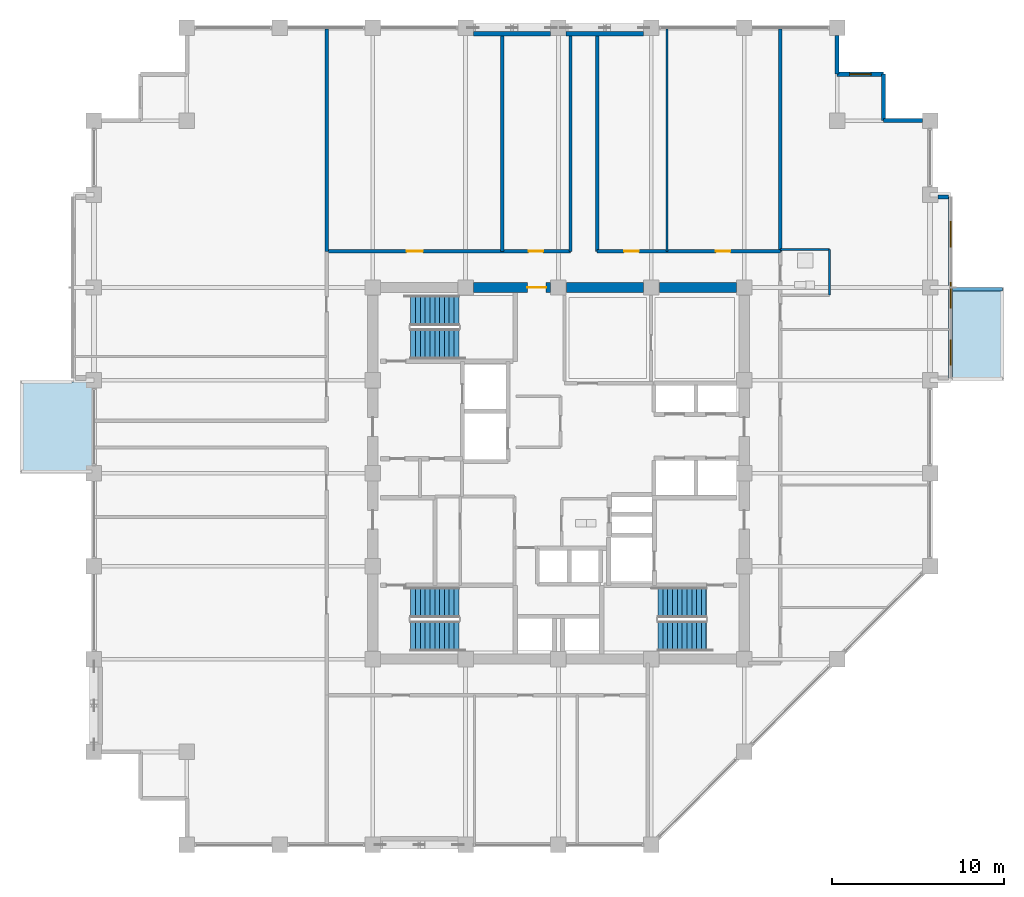
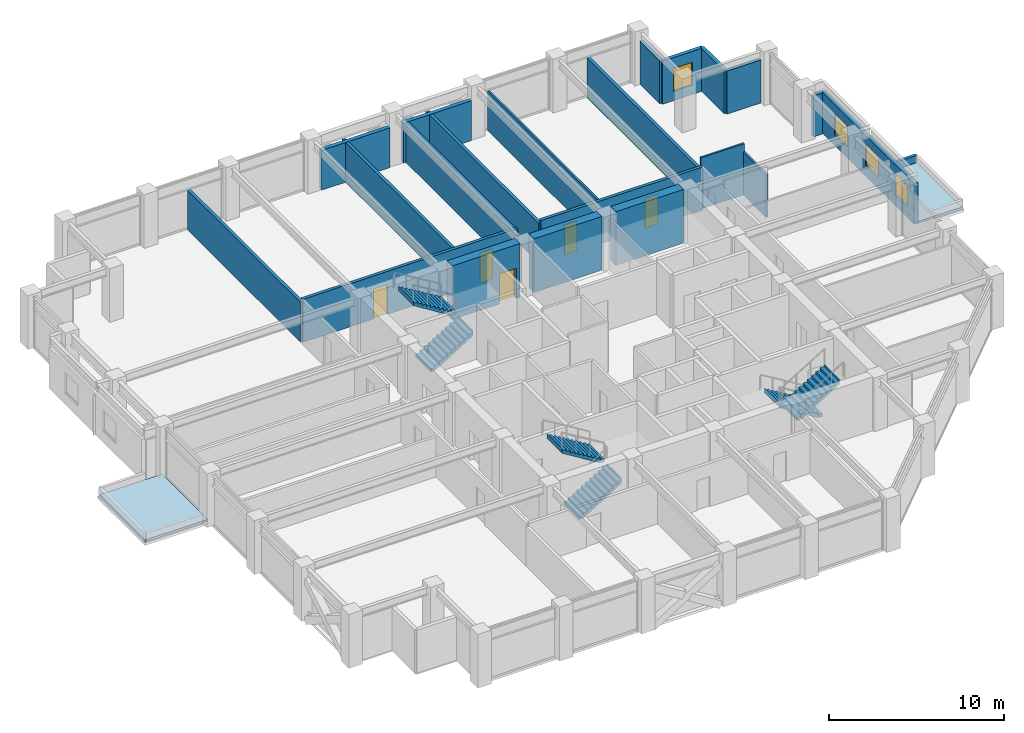
# One storey, part 25 of 28: 22 walls, 6 stair flights, 5 doors, 4 windows, 2 roofs, 9 openings, 3 elements without a shape of their own.
"""IFC4 building model written with IfcOpenShell, lengths in metres."""

from ifc_helpers import new_model, si_unit, direction, frame, frame_2d, origin, place, context, subcontext, project, spatial, polyline, rectangle, outline, extrude, material, layer, layer_set, type_object, element, fill, aggregate, save


model = new_model("IFC4")

# Units and contexts
model_context = context("Model", 3, precision=1e-05, world=origin(), true_north=direction((0.0, 1.0)))
body_context = subcontext(model_context, "Body", "Model", "MODEL_VIEW")
ifc_project = project(units=[si_unit("LENGTHUNIT", "METRE"), si_unit("AREAUNIT", "SQUARE_METRE"), si_unit("VOLUMEUNIT", "CUBIC_METRE"), si_unit("PLANEANGLEUNIT", "RADIAN"), si_unit("MASSUNIT", "GRAM", prefix="KILO")], contexts=[model_context])

# Site, building, storey
site_placement = place(None, origin())
site = spatial("IfcSite", under=ifc_project, at=site_placement, CompositionType="ELEMENT")
building_placement = place(site_placement, origin())
building = spatial("IfcBuilding", under=site, at=building_placement, Name="Surkhivell Harbour Commons", CompositionType="ELEMENT")
storey_placement = place(building_placement, frame((0.0, 0.0, 182.25)))
storey = spatial("IfcBuildingStorey", under=building, at=storey_placement, Name="L47", CompositionType="ELEMENT", Elevation=182.25)

# Wall, opening, door
ifc_material_1 = material(Name="Concrete C60/75", Category="concrete")
ifc_layer_1 = layer(ifc_material_1, 0.60009765625)
ifc_layer_set_1 = layer_set([ifc_layer_1], Name="Concrete C60/75")
wall_type_1 = type_object("IfcWallType", Name="WAL-CORE-600", PredefinedType="SHEAR", material=ifc_layer_set_1)
wall_1_placement = place(storey_placement, frame((-4.93994140625, 10.800048828125, 0.0), z_axis=(0.0, 0.0, 1.0), x_axis=(1.0, 0.0, 0.0)))
wall_1 = element("IfcWall", 1, at=wall_1_placement, inside=storey, type_object=wall_type_1, Name="L47 Core Shear Wall North 2", PredefinedType="SHEAR", context=body_context, shape_type="SweptSolid", body=[
    extrude(rectangle(XDim=4.47998046875, YDim=0.60009765625, at=frame_2d((2.239990234375, 0.0))), origin(), (0.0, 0.0, 1.0), 3.75),
])
opening_1_placement = place(wall_1_placement, frame((3.1298828125, 0.0, 0.0)))
opening_1 = element("IfcOpeningElement", 2, at=opening_1_placement, cuts=wall_1, Name="Opening ID-2", PredefinedType="OPENING", context=body_context, shape_type="SweptSolid", body=[
    extrude(rectangle(XDim=1.10009765625, YDim=2.10009765625, at=frame_2d((0.550048828125, 1.050048828125))), frame((0.0, 0.31005859375, 0.0), z_axis=(0.0, -1.0, 0.0), x_axis=(1.0, 0.0, 0.0)), (0.0, 0.0, 1.0), 0.6201171875),
])
ifc_material_2 = material(Name="Hardwood-veneered fire-rated door leaf", Category="wood")
door_type_1 = type_object("IfcDoorType", Name="DOR-FD60-1100", OperationType="NOTDEFINED", PredefinedType="DOOR", material=ifc_material_2)
door_1_placement = place(opening_1_placement, origin())
door_1 = element("IfcDoor", 3, at=door_1_placement, inside=storey, type_object=door_type_1, Name="L47 Central Core Lift Hall North Corridor Door", OperationType="SINGLE_SWING_LEFT", OverallHeight=2.10009765625, OverallWidth=1.10009765625, PredefinedType="DOOR", context=body_context, shape_type="SweptSolid", body=[
    extrude(rectangle(XDim=1.10009765625, YDim=2.10009765625, at=frame_2d((0.550048828125, 1.050048828125))), frame((0.0, 0.02490234375, 0.0), z_axis=(0.0, -1.0, 0.0), x_axis=(1.0, 0.0, 0.0)), (0.0, 0.0, 1.0), 0.050048828125),
])
fill(opening_1, door_1)

# Walls
for number, where, z_axis, x_axis, name in (
    (4, (0.4599609375, 10.800048828125, 0.0), (0.0, 0.0, 1.0), (1.0, 0.0, 0.0), "L47 Core Shear Wall North 3"),
    (5, (5.860107421875, 10.800048828125, 0.0), (0.0, 0.0, 1.0), (1.0, 0.0, 0.0), "L47 Core Shear Wall North 4"),
):
    element("IfcWall", number, at=place(storey_placement, frame(where, z_axis=z_axis, x_axis=x_axis)), inside=storey, type_object=wall_type_1, Name=name, PredefinedType="SHEAR", context=body_context, shape_type="SweptSolid", body=[
        extrude(rectangle(XDim=4.47998046875, YDim=0.60009765625, at=frame_2d((2.239990234375, 0.0))), origin(), (0.0, 0.0, 1.0), 3.75),
    ])
ifc_material_3 = material(Name="Pale-metal insulated precast concrete C45/55", Category="concrete")
ifc_layer_2 = layer(ifc_material_3, 0.260009765625)
ifc_layer_set_2 = layer_set([ifc_layer_2], Name="Pale-metal insulated precast concrete C45/55")
wall_type_2 = type_object("IfcWallType", Name="WAL-EXT-MTL260", PredefinedType="STANDARD", material=ifc_layer_set_2)
for number, where, z_axis, x_axis, name in (
    (6, (-0.447998046875, 25.5400390625, 0.0), (0.0, 0.0, 1.0), (-1.0, 0.0, 0.0), "L47 Braced-Bay Insulated Spandrel Backing N"),
    (7, (4.951904296875, 25.5400390625, 0.0), (0.0, 0.0, 1.0), (-1.0, 0.0, 0.0), "L47 Braced-Bay Insulated Spandrel Backing N2"),
):
    element("IfcWall", number, at=place(storey_placement, frame(where, z_axis=z_axis, x_axis=x_axis)), inside=storey, type_object=wall_type_2, Name=name, PredefinedType="STANDARD", context=body_context, shape_type="SweptSolid", body=[
        extrude(rectangle(XDim=4.50390625, YDim=0.260009765625, at=frame_2d((2.251953125, 0.0))), origin(), (0.0, 0.0, 1.0), 2.780029296875),
    ])

# Wall, openings, windows
ifc_material_4 = material(Name="Bronze-ochre cassette precast concrete C45/55", Category="concrete")
ifc_layer_3 = layer(ifc_material_4, 0.239990234375)
ifc_layer_set_3 = layer_set([ifc_layer_3], Name="Bronze-ochre cassette precast concrete C45/55")
wall_type_3 = type_object("IfcWallType", Name="WAL-EXT-OCH240", PredefinedType="STANDARD", material=ifc_layer_set_3)
wall_2_placement = place(storey_placement, frame((22.800048828125, 5.52001953125, 0.0), z_axis=(0.0, 0.0, 1.0), x_axis=(0.0, 1.0, 0.0)))
wall_2 = element("IfcWall", 8, at=wall_2_placement, inside=storey, type_object=wall_type_3, Name="L47 Coloured Box Front Wall 01", PredefinedType="STANDARD", context=body_context, shape_type="SweptSolid", body=[
    extrude(rectangle(XDim=10.56005859375, YDim=0.239990234375, at=frame_2d((5.280029296875, 0.0))), origin(), (0.0, 0.0, 1.0), 2.85693359375),
])
opening_2_placement = place(wall_2_placement, frame((0.7548828125, 0.0, 0.75)))
opening_2 = element("IfcOpeningElement", 9, at=opening_2_placement, cuts=wall_2, Name="Opening WN-13", PredefinedType="OPENING", context=body_context, shape_type="SweptSolid", body=[
    extrude(rectangle(XDim=1.5, YDim=1.5, at=frame_2d((0.75, 0.75))), frame((0.0, 0.1298828125, 0.0), z_axis=(0.0, -1.0, 0.0), x_axis=(1.0, 0.0, 0.0)), (0.0, 0.0, 1.0), 0.260009765625),
])
opening_3_placement = place(wall_2_placement, frame((4.077392578125, 0.0, 0.75)))
opening_3 = element("IfcOpeningElement", 10, at=opening_3_placement, cuts=wall_2, Name="Opening WN-13", PredefinedType="OPENING", context=body_context, shape_type="SweptSolid", body=[
    extrude(rectangle(XDim=1.5, YDim=1.5, at=frame_2d((0.75, 0.75))), frame((0.0, 0.1298828125, 0.0), z_axis=(0.0, -1.0, 0.0), x_axis=(1.0, 0.0, 0.0)), (0.0, 0.0, 1.0), 0.260009765625),
])
opening_4_placement = place(wall_2_placement, frame((7.632568359375, 0.0, 0.75)))
opening_4 = element("IfcOpeningElement", 11, at=opening_4_placement, cuts=wall_2, Name="Opening WN-13", PredefinedType="OPENING", context=body_context, shape_type="SweptSolid", body=[
    extrude(rectangle(XDim=1.5, YDim=1.5, at=frame_2d((0.75, 0.75))), frame((0.0, 0.1298828125, 0.0), z_axis=(0.0, -1.0, 0.0), x_axis=(1.0, 0.0, 0.0)), (0.0, 0.0, 1.0), 0.260009765625),
])
ifc_material_5 = material(Name="Thermal-break aluminium frame and double low-E glazing", Category="aluminium")
window_type_1 = type_object("IfcWindowType", Name="WIN-BOX-1500x1500", PartitioningType="SINGLE_PANEL", PredefinedType="WINDOW", material=ifc_material_5)
window_1_placement = place(opening_2_placement, origin())
window_1 = element("IfcWindow", 12, at=window_1_placement, inside=storey, type_object=window_type_1, Name="L47 Coloured Box Square Window 01-1", OverallHeight=1.5, OverallWidth=1.5, PartitioningType="SINGLE_PANEL", PredefinedType="WINDOW", context=body_context, shape_type="SweptSolid", body=[
    extrude(rectangle(XDim=1.5, YDim=1.5, at=frame_2d((0.75, 0.75))), frame((0.0, 0.030029296875, 0.0), z_axis=(0.0, -1.0, 0.0), x_axis=(1.0, 0.0, 0.0)), (0.0, 0.0, 1.0), 0.06005859375),
])
fill(opening_2, window_1)
window_2_placement = place(opening_3_placement, origin())
window_2 = element("IfcWindow", 13, at=window_2_placement, inside=storey, type_object=window_type_1, Name="L47 Coloured Box Square Window 01-2", OverallHeight=1.5, OverallWidth=1.5, PartitioningType="SINGLE_PANEL", PredefinedType="WINDOW", context=body_context, shape_type="SweptSolid", body=[
    extrude(rectangle(XDim=1.5, YDim=1.5, at=frame_2d((0.75, 0.75))), frame((0.0, 0.030029296875, 0.0), z_axis=(0.0, -1.0, 0.0), x_axis=(1.0, 0.0, 0.0)), (0.0, 0.0, 1.0), 0.06005859375),
])
fill(opening_3, window_2)
window_3_placement = place(opening_4_placement, origin())
window_3 = element("IfcWindow", 14, at=window_3_placement, inside=storey, type_object=window_type_1, Name="L47 Coloured Box Square Window 01-3", OverallHeight=1.5, OverallWidth=1.5, PartitioningType="SINGLE_PANEL", PredefinedType="WINDOW", context=body_context, shape_type="SweptSolid", body=[
    extrude(rectangle(XDim=1.5, YDim=1.5, at=frame_2d((0.75, 0.75))), frame((0.0, 0.030029296875, 0.0), z_axis=(0.0, -1.0, 0.0), x_axis=(1.0, 0.0, 0.0)), (0.0, 0.0, 1.0), 0.06005859375),
])
fill(opening_4, window_3)

# Walls
wall_3_placement = place(storey_placement, frame((22.053955078125, 16.06005859375, 0.0), z_axis=(0.0, 0.0, 1.0), x_axis=(1.0, 0.0, 0.0)))
element("IfcWall", 15, at=wall_3_placement, inside=storey, type_object=wall_type_3, Name="L47 Coloured Box Return Wall 01N", PredefinedType="STANDARD", context=body_context, shape_type="SweptSolid", body=[
    extrude(rectangle(XDim=0.60595703125, YDim=0.239990234375, at=frame_2d((0.302978515625, 0.0))), origin(), (0.0, 0.0, 1.0), 2.85693359375),
])
wall_4_placement = place(storey_placement, frame((21.152099609375, 20.5, 0.0), z_axis=(0.0, 0.0, 1.0), x_axis=(-1.0, 0.0, 0.0)))
element("IfcWall", 16, at=wall_4_placement, inside=storey, type_object=wall_type_3, Name="L47 Serrated Corner Facade Wall 03", PredefinedType="STANDARD", context=body_context, shape_type="SweptSolid", body=[
    extrude(rectangle(XDim=2.252197265625, YDim=0.239990234375, at=frame_2d((1.1259765625, 0.0))), origin(), (0.0, 0.0, 1.0), 3.006103515625),
])
wall_5_placement = place(storey_placement, frame((18.89990234375, 20.5, 0.0), z_axis=(0.0, 0.0, 1.0), x_axis=(0.0, 1.0, 0.0)))
element("IfcWall", 17, at=wall_5_placement, inside=storey, type_object=wall_type_3, Name="L47 Serrated Corner Facade Wall 04", PredefinedType="STANDARD", context=body_context, shape_type="SweptSolid", body=[
    extrude(rectangle(XDim=2.699951171875, YDim=0.239990234375, at=frame_2d((1.35009765625, 0.0))), origin(), (0.0, 0.0, 1.0), 3.006103515625),
])

# Wall, opening, window
wall_6_placement = place(storey_placement, frame((18.89990234375, 23.199951171875, 0.0), z_axis=(0.0, 0.0, 1.0), x_axis=(-1.0, 0.0, 0.0)))
wall_6 = element("IfcWall", 18, at=wall_6_placement, inside=storey, type_object=wall_type_3, Name="L47 Serrated Corner Facade Wall 05", PredefinedType="STANDARD", context=body_context, shape_type="SweptSolid", body=[
    extrude(rectangle(XDim=2.699951171875, YDim=0.239990234375, at=frame_2d((1.35009765625, 0.0))), origin(), (0.0, 0.0, 1.0), 3.006103515625),
])
opening_5_placement = place(wall_6_placement, frame((0.72509765625, 0.0, 0.64990234375)))
opening_5 = element("IfcOpeningElement", 19, at=opening_5_placement, cuts=wall_6, Name="Opening WN-09", PredefinedType="OPENING", context=body_context, shape_type="SweptSolid", body=[
    extrude(rectangle(XDim=1.25, YDim=1.60009765625, at=frame_2d((0.625, 0.800048828125))), frame((0.0, 0.1298828125, 0.0), z_axis=(0.0, -1.0, 0.0), x_axis=(1.0, 0.0, 0.0)), (0.0, 0.0, 1.0), 0.260009765625),
])
window_type_2 = type_object("IfcWindowType", Name="WIN-SER-1250x1600", PartitioningType="SINGLE_PANEL", PredefinedType="WINDOW", material=ifc_material_5)
window_4_placement = place(opening_5_placement, origin())
window_4 = element("IfcWindow", 20, at=window_4_placement, inside=storey, type_object=window_type_2, Name="L47 Serrated Alcove Window 05", OverallHeight=1.60009765625, OverallWidth=1.25, PartitioningType="SINGLE_PANEL", PredefinedType="WINDOW", context=body_context, shape_type="SweptSolid", body=[
    extrude(rectangle(XDim=1.25, YDim=1.60009765625, at=frame_2d((0.625, 0.800048828125))), frame((0.0, 0.030029296875, 0.0), z_axis=(0.0, -1.0, 0.0), x_axis=(1.0, 0.0, 0.0)), (0.0, 0.0, 1.0), 0.06005859375),
])
fill(opening_5, window_4)

# Walls
wall_7_placement = place(storey_placement, frame((16.199951171875, 23.199951171875, 0.0), z_axis=(0.0, 0.0, 1.0), x_axis=(0.0, 1.0, 0.0)))
element("IfcWall", 21, at=wall_7_placement, inside=storey, type_object=wall_type_3, Name="L47 Serrated Corner Facade Wall 06", PredefinedType="STANDARD", context=body_context, shape_type="SweptSolid", body=[
    extrude(rectangle(XDim=2.251953125, YDim=0.239990234375, at=frame_2d((1.1259765625, 0.0))), origin(), (0.0, 0.0, 1.0), 3.006103515625),
])
ifc_material_6 = material(Name="Moisture-resistant acoustic stud partition", Category="other")
ifc_layer_4 = layer(ifc_material_6, 0.125)
ifc_layer_set_4 = layer_set([ifc_layer_4], Name="Moisture-resistant acoustic stud partition")
wall_type_4 = type_object("IfcWallType", Name="WAL-INT-125", PredefinedType="PARTITIONING", material=ifc_layer_set_4)
wall_8_placement = place(storey_placement, frame((15.75, 10.35009765625, 0.0), z_axis=(0.0, 0.0, 1.0), x_axis=(0.0, 1.0, 0.0)))
element("IfcWall", 22, at=wall_8_placement, inside=storey, type_object=wall_type_4, Name="L47 East Partition BTHB", PredefinedType="PARTITIONING", context=body_context, shape_type="SweptSolid", body=[
    extrude(rectangle(XDim=2.64990234375, YDim=0.125, at=frame_2d((1.324951171875, 0.0))), origin(), (0.0, 0.0, 1.0), 3.006103515625),
])
wall_9_placement = place(storey_placement, frame((12.89990234375, 13.0, 0.0), z_axis=(0.0, 0.0, 1.0), x_axis=(1.0, 0.0, 0.0)))
element("IfcWall", 23, at=wall_9_placement, inside=storey, type_object=wall_type_4, Name="L47 East Partition BTHN", PredefinedType="PARTITIONING", context=body_context, shape_type="SweptSolid", body=[
    extrude(rectangle(XDim=2.85009765625, YDim=0.125, at=frame_2d((1.425048828125, 0.0))), origin(), (0.0, 0.0, 1.0), 3.570068359375),
])
wall_10_placement = place(storey_placement, frame((6.300048828125, 12.89990234375, 0.0), z_axis=(0.0, 0.0, 1.0), x_axis=(0.0, 1.0, 0.0)))
element("IfcWall", 24, at=wall_10_placement, inside=storey, type_object=wall_type_4, Name="L47 North-East Partition P1", PredefinedType="PARTITIONING", context=body_context, shape_type="SweptSolid", body=[
    extrude(rectangle(XDim=12.940185546875, YDim=0.125, at=frame_2d((6.47021484375, 0.0))), origin(), (0.0, 0.0, 1.0), 2.780029296875),
])
ifc_material_7 = material(Name="Autoclaved aerated concrete blockwork and fire plaster", Category="masonry")
ifc_layer_5 = layer(ifc_material_7, 0.199951171875)
ifc_layer_set_5 = layer_set([ifc_layer_5], Name="Autoclaved aerated concrete blockwork and fire plaster")
wall_type_5 = type_object("IfcWallType", Name="WAL-INT-200", PredefinedType="PARTITIONING", material=ifc_layer_set_5)
for number, where, z_axis, x_axis, name in (
    (25, (12.89990234375, 12.89990234375, 0.0), (0.0, 0.0, 1.0), (0.0, 1.0, 0.0), "L47 North-East Corner Wall"),
    (26, (-13.47998046875, 12.89990234375, 0.0), (0.0, 0.0, 1.0), (0.0, 1.0, 0.0), "L47 North-West Corner Wall"),
):
    element("IfcWall", number, at=place(storey_placement, frame(where, z_axis=z_axis, x_axis=x_axis)), inside=storey, type_object=wall_type_5, Name=name, PredefinedType="PARTITIONING", context=body_context, shape_type="SweptSolid", body=[
        extrude(rectangle(XDim=12.940185546875, YDim=0.199951171875, at=frame_2d((6.47021484375, 0.0))), origin(), (0.0, 0.0, 1.0), 2.780029296875),
    ])

# Wall, openings, doors
wall_11_placement = place(storey_placement, frame((-13.47998046875, 12.89990234375, 0.0), z_axis=(0.0, 0.0, 1.0), x_axis=(1.0, 0.0, 0.0)))
wall_11 = element("IfcWall", 27, at=wall_11_placement, inside=storey, type_object=wall_type_5, Name="L47 Corridor North-West Wall", PredefinedType="PARTITIONING", context=body_context, shape_type="SweptSolid", body=[
    extrude(rectangle(XDim=14.179931640625, YDim=0.199951171875, at=frame_2d((7.08984375, 0.0))), origin(), (0.0, 0.0, 1.0), 3.006103515625),
])
opening_6_placement = place(wall_11_placement, frame((4.655029296875, 0.0, 0.0)))
opening_6 = element("IfcOpeningElement", 28, at=opening_6_placement, cuts=wall_11, Name="Opening ID-4", PredefinedType="OPENING", context=body_context, shape_type="SweptSolid", body=[
    extrude(rectangle(XDim=0.949951171875, YDim=2.10009765625, at=frame_2d((0.47509765625, 1.050048828125))), frame((0.0, 0.10986328125, 0.0), z_axis=(0.0, -1.0, 0.0), x_axis=(1.0, 0.0, 0.0)), (0.0, 0.0, 1.0), 0.219970703125),
])
opening_7_placement = place(wall_11_placement, frame((11.7451171875, 0.0, 0.0)))
opening_7 = element("IfcOpeningElement", 29, at=opening_7_placement, cuts=wall_11, Name="Opening ID-6", PredefinedType="OPENING", context=body_context, shape_type="SweptSolid", body=[
    extrude(rectangle(XDim=0.85009765625, YDim=2.10009765625, at=frame_2d((0.425048828125, 1.050048828125))), frame((0.0, 0.10986328125, 0.0), z_axis=(0.0, -1.0, 0.0), x_axis=(1.0, 0.0, 0.0)), (0.0, 0.0, 1.0), 0.219970703125),
])
door_type_2 = type_object("IfcDoorType", Name="DOR-FD30-850", OperationType="NOTDEFINED", PredefinedType="DOOR", material=ifc_material_2)
door_2_placement = place(opening_7_placement, origin())
door_2 = element("IfcDoor", 30, at=door_2_placement, inside=storey, type_object=door_type_2, Name="L47 Resident Advisory Reception Desk North-West Door", OperationType="SINGLE_SWING_RIGHT", OverallHeight=2.10009765625, OverallWidth=0.85009765625, PredefinedType="DOOR", context=body_context, shape_type="SweptSolid", body=[
    extrude(rectangle(XDim=0.85009765625, YDim=2.10009765625, at=frame_2d((0.425048828125, 1.050048828125))), frame((0.0, 0.02490234375, 0.0), z_axis=(0.0, -1.0, 0.0), x_axis=(1.0, 0.0, 0.0)), (0.0, 0.0, 1.0), 0.050048828125),
])
fill(opening_7, door_2)
door_type_3 = type_object("IfcDoorType", Name="DOR-FD60-950", OperationType="NOTDEFINED", PredefinedType="DOOR", material=ifc_material_2)
door_3_placement = place(opening_6_placement, origin())
door_3 = element("IfcDoor", 31, at=door_3_placement, inside=storey, type_object=door_type_3, Name="L47 Zone Concierge Reception Foyer North-West Door", OperationType="SINGLE_SWING_LEFT", OverallHeight=2.10009765625, OverallWidth=0.949951171875, PredefinedType="DOOR", context=body_context, shape_type="SweptSolid", body=[
    extrude(rectangle(XDim=0.949951171875, YDim=2.10009765625, at=frame_2d((0.47509765625, 1.050048828125))), frame((0.0, 0.02490234375, 0.0), z_axis=(0.0, -1.0, 0.0), x_axis=(1.0, 0.0, 0.0)), (0.0, 0.0, 1.0), 0.050048828125),
])
fill(opening_6, door_3)

wall_12_placement = place(storey_placement, frame((2.25, 12.89990234375, 0.0), z_axis=(0.0, 0.0, 1.0), x_axis=(1.0, 0.0, 0.0)))
wall_12 = element("IfcWall", 32, at=wall_12_placement, inside=storey, type_object=wall_type_5, Name="L47 Corridor North-East Wall", PredefinedType="PARTITIONING", context=body_context, shape_type="SweptSolid", body=[
    extrude(rectangle(XDim=10.64990234375, YDim=0.199951171875, at=frame_2d((5.324951171875, 0.0))), origin(), (0.0, 0.0, 1.0), 3.006103515625),
])
opening_8_placement = place(wall_12_placement, frame((1.574951171875, 0.0, 0.0)))
opening_8 = element("IfcOpeningElement", 33, at=opening_8_placement, cuts=wall_12, Name="Opening ID-6", PredefinedType="OPENING", context=body_context, shape_type="SweptSolid", body=[
    extrude(rectangle(XDim=0.85009765625, YDim=2.10009765625, at=frame_2d((0.425048828125, 1.050048828125))), frame((0.0, 0.10986328125, 0.0), z_axis=(0.0, -1.0, 0.0), x_axis=(1.0, 0.0, 0.0)), (0.0, 0.0, 1.0), 0.219970703125),
])
opening_9_placement = place(wall_12_placement, frame((6.89990234375, 0.0, 0.0)))
opening_9 = element("IfcOpeningElement", 34, at=opening_9_placement, cuts=wall_12, Name="Opening ID-6", PredefinedType="OPENING", context=body_context, shape_type="SweptSolid", body=[
    extrude(rectangle(XDim=0.85009765625, YDim=2.10009765625, at=frame_2d((0.425048828125, 1.050048828125))), frame((0.0, 0.10986328125, 0.0), z_axis=(0.0, -1.0, 0.0), x_axis=(1.0, 0.0, 0.0)), (0.0, 0.0, 1.0), 0.219970703125),
])
door_4_placement = place(opening_8_placement, origin())
door_4 = element("IfcDoor", 35, at=door_4_placement, inside=storey, type_object=door_type_2, Name="L47 Harbour Reading Library North-East Door", OperationType="SINGLE_SWING_LEFT", OverallHeight=2.10009765625, OverallWidth=0.85009765625, PredefinedType="DOOR", context=body_context, shape_type="SweptSolid", body=[
    extrude(rectangle(XDim=0.85009765625, YDim=2.10009765625, at=frame_2d((0.425048828125, 1.050048828125))), frame((0.0, 0.02490234375, 0.0), z_axis=(0.0, -1.0, 0.0), x_axis=(1.0, 0.0, 0.0)), (0.0, 0.0, 1.0), 0.050048828125),
])
fill(opening_8, door_4)
door_5_placement = place(opening_9_placement, origin())
door_5 = element("IfcDoor", 36, at=door_5_placement, inside=storey, type_object=door_type_2, Name="L47 Communal Dining Hall North-East Door", OperationType="SINGLE_SWING_RIGHT", OverallHeight=2.10009765625, OverallWidth=0.85009765625, PredefinedType="DOOR", context=body_context, shape_type="SweptSolid", body=[
    extrude(rectangle(XDim=0.85009765625, YDim=2.10009765625, at=frame_2d((0.425048828125, 1.050048828125))), frame((0.0, 0.02490234375, 0.0), z_axis=(0.0, -1.0, 0.0), x_axis=(1.0, 0.0, 0.0)), (0.0, 0.0, 1.0), 0.050048828125),
])
fill(opening_9, door_5)

# Walls
for number, where, z_axis, x_axis, name in (
    (37, (2.25, 12.89990234375, 0.0), (0.0, 0.0, 1.0), (0.0, 1.0, 0.0), "L47 North Spur East Wall"),
    (38, (0.699951171875, 12.89990234375, 0.0), (0.0, 0.0, 1.0), (0.0, 1.0, 0.0), "L47 North Spur West Wall"),
    (39, (-3.27001953125, 12.89990234375, 0.0), (0.0, 0.0, 1.0), (0.0, 1.0, 0.0), "L47 North-West Partition P1"),
):
    element("IfcWall", number, at=place(storey_placement, frame(where, z_axis=z_axis, x_axis=x_axis)), inside=storey, type_object=wall_type_5, Name=name, PredefinedType="PARTITIONING", context=body_context, shape_type="SweptSolid", body=[
        extrude(rectangle(XDim=12.940185546875, YDim=0.199951171875, at=frame_2d((6.47021484375, 0.0))), origin(), (0.0, 0.0, 1.0), 2.780029296875),
    ])
ifc_material_8 = material(Name="Anodised aluminium and precast concrete C40/50", Category="concrete")
ifc_layer_6 = layer(ifc_material_8, 0.18505859375)
ifc_layer_set_6 = layer_set([ifc_layer_6], Name="Anodised aluminium and precast concrete C40/50")
wall_type_6 = type_object("IfcWallType", Name="WAL-PAR-185", PredefinedType="PARAPET", material=ifc_layer_set_6)
wall_13_placement = place(storey_placement, frame((25.800048828125, 10.699951171875, 0.0), z_axis=(0.0, 0.0, 1.0), x_axis=(-1.0, 0.0, 0.0)))
element("IfcWall", 40, at=wall_13_placement, inside=storey, type_object=wall_type_6, Name="L47 Box Roof Coping Parapet 1-3", PredefinedType="PARAPET", context=body_context, shape_type="SweptSolid", body=[
    extrude(rectangle(XDim=2.880126953125, YDim=0.18505859375, at=frame_2d((1.43994140625, 0.0))), origin(), (0.0, 0.0, 1.0), 0.64990234375),
])

# Stair, stair flights
ifc_material_9 = material(Name="Precast concrete C45/55", Category="concrete")
stair_type = type_object("IfcStairType", Name="STR-DL-375", PredefinedType="HALF_TURN_STAIR", material=ifc_material_9)
stair_1_placement = place(storey_placement, origin())
stair_1 = element("IfcStair", 41, at=stair_1_placement, inside=storey, type_object=stair_type, Name="L47 Core Exit Stair ST1", PredefinedType="HALF_TURN_STAIR")
stair_flight_type = type_object("IfcStairFlightType", Name="STF-DL-375", PredefinedType="STRAIGHT", material=ifc_material_9)
stair_flight_1_placement = place(storey_placement, frame((-8.590087890625, 7.514892578125, 0.0), z_axis=(0.0, 0.0, 1.0), x_axis=(1.0, 0.0, 0.0)))
stair_flight_1 = element("IfcStairFlight", 42, at=stair_flight_1_placement, type_object=stair_flight_type, Name="ST1 flight 1", NumberOfRisers=11, NumberOfTreads=10, PredefinedType="STRAIGHT", RiserHeight=0.170454545, TreadLength=0.28, context=body_context, shape_type="SweptSolid", body=[
    extrude(outline(polyline([(-0.0029296875, -0.034912109375), (-0.0029296875, 0.0), (0.0, 0.0), (0.0, 0.17041015625), (0.280029296875, 0.17041015625), (0.280029296875, 0.3408203125), (0.56005859375, 0.3408203125), (0.56005859375, 0.511474609375), (0.840087890625, 0.511474609375), (0.840087890625, 0.681884765625), (1.1201171875, 0.681884765625), (1.1201171875, 0.852294921875), (1.39990234375, 0.852294921875), (1.39990234375, 1.022705078125), (1.679931640625, 1.022705078125), (1.679931640625, 1.193115234375), (1.9599609375, 1.193115234375), (1.9599609375, 1.363525390625), (2.239990234375, 1.363525390625), (2.239990234375, 1.5341796875), (2.52001953125, 1.5341796875), (2.52001953125, 1.70458984375), (2.800048828125, 1.70458984375), (2.800048828125, 1.875), (2.802978515625, 1.875), (2.802978515625, 1.529052734375), (0.288330078125, -0.034912109375), (-0.0029296875, -0.034912109375)])), frame((0.0, 0.875, 0.0), z_axis=(0.0, -1.0, 0.0), x_axis=(1.0, 0.0, 0.0)), (0.0, 0.0, 1.0), 1.75),
])
stair_flight_2_placement = place(storey_placement, frame((-5.7900390625, 9.465087890625, 1.875), z_axis=(0.0, 0.0, 1.0), x_axis=(-1.0, 0.0, 0.0)))
stair_flight_2 = element("IfcStairFlight", 43, at=stair_flight_2_placement, type_object=stair_flight_type, Name="ST1 flight 2", NumberOfRisers=11, NumberOfTreads=10, PredefinedType="STRAIGHT", RiserHeight=0.170454545, TreadLength=0.28, context=body_context, shape_type="SweptSolid", body=[
    extrude(outline(polyline([(-0.0029296875, -0.034912109375), (-0.0029296875, 0.0), (0.0, 0.0), (0.0, 0.17041015625), (0.280029296875, 0.17041015625), (0.280029296875, 0.3408203125), (0.56005859375, 0.3408203125), (0.56005859375, 0.511474609375), (0.840087890625, 0.511474609375), (0.840087890625, 0.681884765625), (1.1201171875, 0.681884765625), (1.1201171875, 0.852294921875), (1.39990234375, 0.852294921875), (1.39990234375, 1.022705078125), (1.679931640625, 1.022705078125), (1.679931640625, 1.193115234375), (1.9599609375, 1.193115234375), (1.9599609375, 1.363525390625), (2.239990234375, 1.363525390625), (2.239990234375, 1.5341796875), (2.52001953125, 1.5341796875), (2.52001953125, 1.70458984375), (2.800048828125, 1.70458984375), (2.800048828125, 1.875), (2.802978515625, 1.875), (2.802978515625, 1.529052734375), (0.288330078125, -0.034912109375), (-0.0029296875, -0.034912109375)])), frame((0.0, 0.875, 0.0), z_axis=(0.0, -1.0, 0.0), x_axis=(1.0, 0.0, 0.0)), (0.0, 0.0, 1.0), 1.75),
])
aggregate(stair_1, [stair_flight_1, stair_flight_2])

stair_2_placement = place(storey_placement, origin())
stair_2 = element("IfcStair", 44, at=stair_2_placement, inside=storey, type_object=stair_type, Name="L47 Core Exit Stair ST2", PredefinedType="HALF_TURN_STAIR")
stair_flight_3_placement = place(storey_placement, frame((8.590087890625, -7.514892578125, 0.0), z_axis=(0.0, 0.0, 1.0), x_axis=(-1.0, 0.0, 0.0)))
stair_flight_3 = element("IfcStairFlight", 45, at=stair_flight_3_placement, type_object=stair_flight_type, Name="ST2 flight 1", NumberOfRisers=11, NumberOfTreads=10, PredefinedType="STRAIGHT", RiserHeight=0.170454545, TreadLength=0.28, context=body_context, shape_type="SweptSolid", body=[
    extrude(outline(polyline([(-0.0029296875, -0.034912109375), (-0.0029296875, 0.0), (0.0, 0.0), (0.0, 0.17041015625), (0.280029296875, 0.17041015625), (0.280029296875, 0.3408203125), (0.56005859375, 0.3408203125), (0.56005859375, 0.511474609375), (0.840087890625, 0.511474609375), (0.840087890625, 0.681884765625), (1.1201171875, 0.681884765625), (1.1201171875, 0.852294921875), (1.39990234375, 0.852294921875), (1.39990234375, 1.022705078125), (1.679931640625, 1.022705078125), (1.679931640625, 1.193115234375), (1.9599609375, 1.193115234375), (1.9599609375, 1.363525390625), (2.239990234375, 1.363525390625), (2.239990234375, 1.5341796875), (2.52001953125, 1.5341796875), (2.52001953125, 1.70458984375), (2.800048828125, 1.70458984375), (2.800048828125, 1.875), (2.802978515625, 1.875), (2.802978515625, 1.529052734375), (0.288330078125, -0.034912109375), (-0.0029296875, -0.034912109375)])), frame((0.0, 0.875, 0.0), z_axis=(0.0, -1.0, 0.0), x_axis=(1.0, 0.0, 0.0)), (0.0, 0.0, 1.0), 1.75),
])
stair_flight_4_placement = place(storey_placement, frame((5.7900390625, -9.465087890625, 1.875), z_axis=(0.0, 0.0, 1.0), x_axis=(1.0, 0.0, 0.0)))
stair_flight_4 = element("IfcStairFlight", 46, at=stair_flight_4_placement, type_object=stair_flight_type, Name="ST2 flight 2", NumberOfRisers=11, NumberOfTreads=10, PredefinedType="STRAIGHT", RiserHeight=0.170454545, TreadLength=0.28, context=body_context, shape_type="SweptSolid", body=[
    extrude(outline(polyline([(-0.0029296875, -0.034912109375), (-0.0029296875, 0.0), (0.0, 0.0), (0.0, 0.17041015625), (0.280029296875, 0.17041015625), (0.280029296875, 0.3408203125), (0.56005859375, 0.3408203125), (0.56005859375, 0.511474609375), (0.840087890625, 0.511474609375), (0.840087890625, 0.681884765625), (1.1201171875, 0.681884765625), (1.1201171875, 0.852294921875), (1.39990234375, 0.852294921875), (1.39990234375, 1.022705078125), (1.679931640625, 1.022705078125), (1.679931640625, 1.193115234375), (1.9599609375, 1.193115234375), (1.9599609375, 1.363525390625), (2.239990234375, 1.363525390625), (2.239990234375, 1.5341796875), (2.52001953125, 1.5341796875), (2.52001953125, 1.70458984375), (2.800048828125, 1.70458984375), (2.800048828125, 1.875), (2.802978515625, 1.875), (2.802978515625, 1.529052734375), (0.288330078125, -0.034912109375), (-0.0029296875, -0.034912109375)])), frame((0.0, 0.875, 0.0), z_axis=(0.0, -1.0, 0.0), x_axis=(1.0, 0.0, 0.0)), (0.0, 0.0, 1.0), 1.75),
])
aggregate(stair_2, [stair_flight_3, stair_flight_4])

stair_3_placement = place(storey_placement, origin())
stair_3 = element("IfcStair", 47, at=stair_3_placement, inside=storey, type_object=stair_type, Name="L47 Core Exit Stair ST3", PredefinedType="HALF_TURN_STAIR")
stair_flight_5_placement = place(storey_placement, frame((-8.590087890625, -9.465087890625, 0.0), z_axis=(0.0, 0.0, 1.0), x_axis=(1.0, 0.0, 0.0)))
stair_flight_5 = element("IfcStairFlight", 48, at=stair_flight_5_placement, type_object=stair_flight_type, Name="ST3 flight 1", NumberOfRisers=11, NumberOfTreads=10, PredefinedType="STRAIGHT", RiserHeight=0.170454545, TreadLength=0.28, context=body_context, shape_type="SweptSolid", body=[
    extrude(outline(polyline([(-0.0029296875, -0.034912109375), (-0.0029296875, 0.0), (0.0, 0.0), (0.0, 0.17041015625), (0.280029296875, 0.17041015625), (0.280029296875, 0.3408203125), (0.56005859375, 0.3408203125), (0.56005859375, 0.511474609375), (0.840087890625, 0.511474609375), (0.840087890625, 0.681884765625), (1.1201171875, 0.681884765625), (1.1201171875, 0.852294921875), (1.39990234375, 0.852294921875), (1.39990234375, 1.022705078125), (1.679931640625, 1.022705078125), (1.679931640625, 1.193115234375), (1.9599609375, 1.193115234375), (1.9599609375, 1.363525390625), (2.239990234375, 1.363525390625), (2.239990234375, 1.5341796875), (2.52001953125, 1.5341796875), (2.52001953125, 1.70458984375), (2.800048828125, 1.70458984375), (2.800048828125, 1.875), (2.802978515625, 1.875), (2.802978515625, 1.529052734375), (0.288330078125, -0.034912109375), (-0.0029296875, -0.034912109375)])), frame((0.0, 0.875, 0.0), z_axis=(0.0, -1.0, 0.0), x_axis=(1.0, 0.0, 0.0)), (0.0, 0.0, 1.0), 1.75),
])
stair_flight_6_placement = place(storey_placement, frame((-5.7900390625, -7.514892578125, 1.875), z_axis=(0.0, 0.0, 1.0), x_axis=(-1.0, 0.0, 0.0)))
stair_flight_6 = element("IfcStairFlight", 49, at=stair_flight_6_placement, type_object=stair_flight_type, Name="ST3 flight 2", NumberOfRisers=11, NumberOfTreads=10, PredefinedType="STRAIGHT", RiserHeight=0.170454545, TreadLength=0.28, context=body_context, shape_type="SweptSolid", body=[
    extrude(outline(polyline([(-0.0029296875, -0.034912109375), (-0.0029296875, 0.0), (0.0, 0.0), (0.0, 0.17041015625), (0.280029296875, 0.17041015625), (0.280029296875, 0.3408203125), (0.56005859375, 0.3408203125), (0.56005859375, 0.511474609375), (0.840087890625, 0.511474609375), (0.840087890625, 0.681884765625), (1.1201171875, 0.681884765625), (1.1201171875, 0.852294921875), (1.39990234375, 0.852294921875), (1.39990234375, 1.022705078125), (1.679931640625, 1.022705078125), (1.679931640625, 1.193115234375), (1.9599609375, 1.193115234375), (1.9599609375, 1.363525390625), (2.239990234375, 1.363525390625), (2.239990234375, 1.5341796875), (2.52001953125, 1.5341796875), (2.52001953125, 1.70458984375), (2.800048828125, 1.70458984375), (2.800048828125, 1.875), (2.802978515625, 1.875), (2.802978515625, 1.529052734375), (0.288330078125, -0.034912109375), (-0.0029296875, -0.034912109375)])), frame((0.0, 0.875, 0.0), z_axis=(0.0, -1.0, 0.0), x_axis=(1.0, 0.0, 0.0)), (0.0, 0.0, 1.0), 1.75),
])
aggregate(stair_3, [stair_flight_5, stair_flight_6])

# Roofs
ifc_material_10 = material(Name="Vermilion-coral and saffron enamelled aluminium box roof cap", Category="aluminium")
ifc_layer_7 = layer(ifc_material_10, 0.139892578125)
ifc_layer_set_7 = layer_set([ifc_layer_7], Name="Vermilion-coral and saffron enamelled aluminium box roof cap")
roof_type = type_object("IfcRoofType", Name="ROF-BOX-CAP", PredefinedType="FLAT_ROOF", material=ifc_layer_set_7)
roof_1_placement = place(storey_placement, origin())
element("IfcRoof", 50, at=roof_1_placement, inside=storey, type_object=roof_type, Name="L47 Closed Coloured Box Roof Cap 1-1", PredefinedType="FLAT_ROOF", context=body_context, shape_type="SweptSolid", body=[
    extrude(outline(polyline([(22.89990234375, 10.719970703125), (22.89990234375, 5.47998046875), (25.820068359375, 5.47998046875), (25.820068359375, 10.719970703125), (22.89990234375, 10.719970703125)])), origin(), (0.0, 0.0, 1.0), 0.139892578125),
])
roof_2_placement = place(storey_placement, origin())
element("IfcRoof", 51, at=roof_2_placement, inside=storey, type_object=roof_type, Name="L47 Closed Coloured Box Roof Cap 2-1", PredefinedType="FLAT_ROOF", context=body_context, shape_type="SweptSolid", body=[
    extrude(outline(polyline([(-27.10009765625, 0.080078125), (-27.10009765625, 5.300048828125), (-28.201904296875, 5.300048828125), (-28.209716796875, 5.30029296875), (-28.219482421875, 5.3017578125), (-28.22900390625, 5.30419921875), (-28.23828125, 5.3076171875), (-28.247314453125, 5.311767578125), (-28.255615234375, 5.31689453125), (-28.260009765625, 5.320068359375), (-31.219970703125, 5.320068359375), (-31.219970703125, 0.080078125), (-27.10009765625, 0.080078125)])), origin(), (0.0, 0.0, 1.0), 0.139892578125),
])

save(model, "model.ifc")
